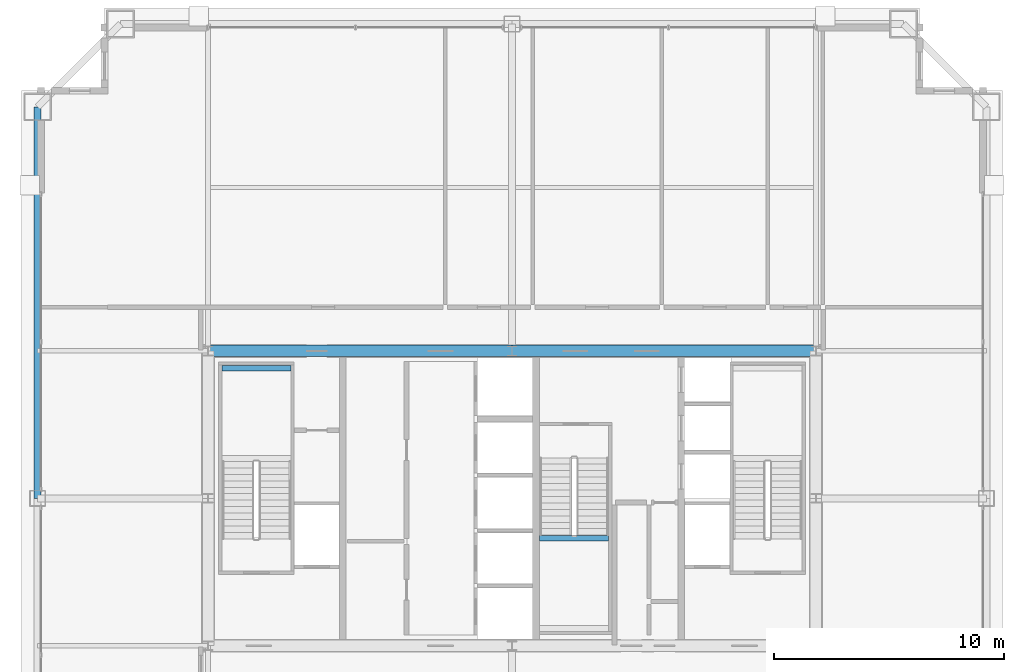
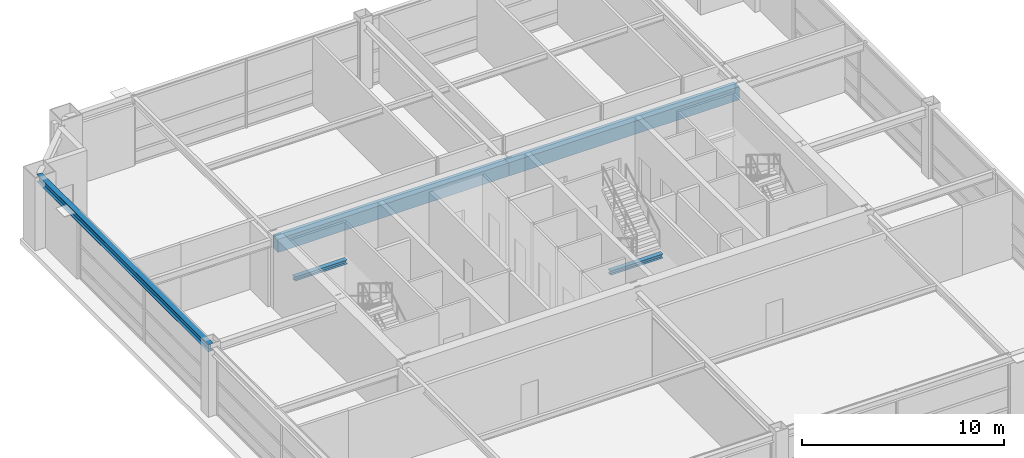
# One storey, part 11 of 26: 5 beams.
"""IFC4 building model written with IfcOpenShell, lengths in metres."""

import ifcopenshell
import ifcopenshell.guid

model = None  # the IFC model being written
_history = None  # IfcOwnerHistory: only IFC2X3 demands one
_inside = {}  # id of a spatial element -> (the spatial element, [elements in it])
_under = {}  # id of a project, library or spatial element -> (it, [spatial elements below it])
_declared = {}  # id of a project -> (the project, [libraries it declares])
_typed = {}  # id of a type object -> (the type object, [elements of that type])
_made_of = {}  # id of a material, layer set ... -> (it, [elements and type objects made of it])


def new_model(schema):
    """Start an empty IFC model of exactly this schema.

    Asked for "IFC4X3", IfcOpenShell would pick the latest addendum, in which some entities
    have other attributes; the version numbers below select the first issue.
    IFC2X3 requires an IfcOwnerHistory on every rooted entity: one is made here for all.
    """
    global model, _history
    if schema == "IFC4X3":
        model = ifcopenshell.file(schema_version=(4, 3, 0, 0))
    else:
        model = ifcopenshell.file(schema=schema)
    _inside.clear()
    _under.clear()
    _declared.clear()
    _typed.clear()
    _made_of.clear()
    _history = None
    if model.schema == "IFC2X3":
        org = make("IfcOrganization", Name="unknown")
        user = make(
            "IfcPersonAndOrganization",
            ThePerson=make("IfcPerson", FamilyName="unknown"),
            TheOrganization=org,
        )
        app = make(
            "IfcApplication",
            ApplicationDeveloper=org,
            Version="unknown",
            ApplicationFullName="unknown",
            ApplicationIdentifier="unknown",
        )
        _history = make(
            "IfcOwnerHistory",
            OwningUser=user,
            OwningApplication=app,
            ChangeAction="ADDED",
            CreationDate=0,
        )
    return model


def make(cls, **values):
    """One entity of the class cls with the attributes given. An attribute that is None is left unset."""
    return model.create_entity(
        cls, **{name: value for name, value in values.items() if value is not None}
    )


def rooted(cls, **values):
    """An entity with a GlobalId (a new one), such as an element, a storey or a relation."""
    return make(cls, GlobalId=ifcopenshell.guid.new(), OwnerHistory=_history, **values)


def si_unit(unit_type, name, prefix=None):
    """IfcSIUnit, for example si_unit("LENGTHUNIT", "METRE", prefix="MILLI")."""
    return make("IfcSIUnit", UnitType=unit_type, Prefix=prefix, Name=name)


def assignment(units):
    """IfcUnitAssignment: the units of a project."""
    return None if units is None else make("IfcUnitAssignment", Units=units)


def point(xyz):
    """IfcCartesianPoint."""
    return None if xyz is None else make("IfcCartesianPoint", Coordinates=xyz)


def direction(xyz):
    """IfcDirection."""
    return None if xyz is None else make("IfcDirection", DirectionRatios=xyz)


def frame(location, z_axis=None, x_axis=None):
    """IfcAxis2Placement3D, a coordinate frame: its origin and axes. An axis left out is left unset."""
    return make(
        "IfcAxis2Placement3D",
        Location=point(location),
        Axis=direction(z_axis),
        RefDirection=direction(x_axis),
    )


def frame_2d(location, x_axis=None):
    """IfcAxis2Placement2D, a coordinate frame in the plane: its origin and x axis."""
    return make(
        "IfcAxis2Placement2D", Location=point(location), RefDirection=direction(x_axis)
    )


def origin():
    """The frame at (0, 0, 0) with its axes left unset."""
    return frame((0.0, 0.0, 0.0))


def origin_2d():
    """The frame at (0, 0) in the plane with its x axis left unset."""
    return frame_2d((0.0, 0.0))


def place(relative_to, where):
    """IfcLocalPlacement: puts the frame where relative to a parent placement (None: the world)."""
    return make(
        "IfcLocalPlacement", PlacementRelTo=relative_to, RelativePlacement=where
    )


def context(
    kind, dimensions, precision=None, world=None, true_north=None, identifier=None
):
    """IfcGeometricRepresentationContext, for example the 3D "Model" context."""
    return make(
        "IfcGeometricRepresentationContext",
        ContextIdentifier=identifier,
        ContextType=kind,
        CoordinateSpaceDimension=dimensions,
        Precision=precision,
        WorldCoordinateSystem=world,
        TrueNorth=true_north,
    )


def subcontext(parent, identifier, kind, view, scale=None):
    """IfcGeometricRepresentationSubContext, for example "Body" below "Model"."""
    return make(
        "IfcGeometricRepresentationSubContext",
        ContextIdentifier=identifier,
        ContextType=kind,
        ParentContext=parent,
        TargetScale=scale,
        TargetView=view,
    )


def project(units=None, contexts=None):
    """IfcProject with its units and contexts."""
    return rooted(
        "IfcProject",
        Name="project",
        RepresentationContexts=contexts,
        UnitsInContext=assignment(units),
    )


def spatial(cls, under=None, at=None, **own):
    """A site, building, storey or space (cls), placed at a placement, below another one or the project."""
    s = rooted(cls, ObjectPlacement=at, **own)
    if under is not None:
        _under.setdefault(under.id(), (under, []))[1].append(s)
    return s


def profile(cls, at=None, kind="AREA", **sizes):
    """A parametric profile (cls). Its sizes go by their IFC names, for example OverallWidth=200.0."""
    return make(cls, ProfileType=kind, Position=at, **sizes)


def rectangle(**sizes):
    """IfcRectangleProfileDef."""
    return profile("IfcRectangleProfileDef", **sizes)


def i_section(**sizes):
    """IfcIShapeProfileDef."""
    return profile("IfcIShapeProfileDef", **sizes)


def extrude(swept, where, along, depth):
    """IfcExtrudedAreaSolid: the profile swept, set in the frame where, extruded along a direction by depth."""
    return make(
        "IfcExtrudedAreaSolid",
        SweptArea=swept,
        Position=where,
        ExtrudedDirection=direction(along),
        Depth=depth,
    )


def shape(context_of_items, identifier, shape_type, items):
    """IfcShapeRepresentation: the items that make up one representation, for example the "Body"."""
    return make(
        "IfcShapeRepresentation",
        ContextOfItems=context_of_items,
        RepresentationIdentifier=identifier,
        RepresentationType=shape_type,
        Items=items,
    )


def source(mapping_origin, context_of_items, identifier, shape_type, items):
    """IfcRepresentationMap: a shape defined once, which mapped items show again and again."""
    return make(
        "IfcRepresentationMap",
        MappingOrigin=mapping_origin,
        MappedRepresentation=shape(context_of_items, identifier, shape_type, items),
    )


def transform(
    local_origin,
    x_axis=None,
    y_axis=None,
    z_axis=None,
    scale=None,
    scale2=None,
    scale3=None,
    uniform=True,
):
    """IfcCartesianTransformationOperator3D, or its non-uniform kind. x_axis, y_axis, z_axis: its Axis1, 2, 3."""
    if uniform:
        return make(
            "IfcCartesianTransformationOperator3D",
            Axis1=direction(x_axis),
            Axis2=direction(y_axis),
            LocalOrigin=point(local_origin),
            Scale=scale,
            Axis3=direction(z_axis),
        )
    return make(
        "IfcCartesianTransformationOperator3DnonUniform",
        Axis1=direction(x_axis),
        Axis2=direction(y_axis),
        LocalOrigin=point(local_origin),
        Scale=scale,
        Axis3=direction(z_axis),
        Scale2=scale2,
        Scale3=scale3,
    )


def mapped(mapping_source, mapping_target):
    """IfcMappedItem: shows the shape of a source again, moved by a transform."""
    return make(
        "IfcMappedItem", MappingSource=mapping_source, MappingTarget=mapping_target
    )


def material(Name=None, Category=None):
    """IfcMaterial."""
    return make("IfcMaterial", Name=Name, Category=Category)


def material_profile(
    of_material, cross_section, Name=None, Category=None, Priority=None
):
    """IfcMaterialProfile: a cross section and its material."""
    return make(
        "IfcMaterialProfile",
        Name=Name,
        Material=of_material,
        Profile=cross_section,
        Priority=Priority,
        Category=Category,
    )


def profile_set(profiles, Name=None, composite=None):
    """IfcMaterialProfileSet."""
    return make(
        "IfcMaterialProfileSet",
        Name=Name,
        MaterialProfiles=profiles,
        CompositeProfile=composite,
    )


def made_of(thing, what):
    """Note that an element or type object is made of a material, layer set ...; save() writes the relation."""
    if what is not None:
        _made_of.setdefault(what.id(), (what, []))[1].append(thing)
    return thing


def type_object(cls, material=None, **own):
    """A type object (cls), such as IfcWallType, which elements share."""
    return made_of(rooted(cls, **own), material)


def element(
    cls,
    number,
    at=None,
    inside=None,
    cuts=None,
    type_object=None,
    material=None,
    context=None,
    identifier="Body",
    shape_type=None,
    held_by="IfcProductDefinitionShape",
    body=None,
    shapes=None,
    **own,
):
    """One element of the class cls, such as IfcWall. Its Tag is "e" and its number.

    at: its placement. inside: the storey or other place that contains it. cuts: it is an
    opening in that element (IfcRelVoidsElement). A single representation is given by context,
    identifier, shape_type and body (its items); several are given by shapes. held_by: the class
    of the entity that holds the representations. save() writes the other relations.
    """
    e = rooted(cls, Tag="e%d" % number, ObjectPlacement=at, **own)
    if body is not None:
        shapes = [shape(context, identifier, shape_type, body)]
    if shapes is not None:
        e.Representation = make(held_by, Representations=shapes)
    if inside is not None:
        _inside.setdefault(inside.id(), (inside, []))[1].append(e)
    if cuts is not None:
        rooted(
            "IfcRelVoidsElement", RelatingBuildingElement=cuts, RelatedOpeningElement=e
        )
    if type_object is not None:
        _typed.setdefault(type_object.id(), (type_object, []))[1].append(e)
    return made_of(e, material)


def aggregate(whole, parts):
    """IfcRelAggregates: a whole, such as a stair, and the parts it consists of."""
    return rooted("IfcRelAggregates", RelatingObject=whole, RelatedObjects=parts)


def save(model, path):
    """Write the relations noted so far, then the file.

    IfcRelAggregates (storeys below a building ...), IfcRelContainedInSpatialStructure (elements
    in a storey), IfcRelDefinesByType, IfcRelAssociatesMaterial and IfcRelDeclares: one each for
    every whole, place, type object, material and project.
    """
    for whole, parts in _under.values():
        aggregate(whole, parts)
    for where, things in _inside.values():
        rooted(
            "IfcRelContainedInSpatialStructure",
            RelatedElements=things,
            RelatingStructure=where,
        )
    for kind, things in _typed.values():
        rooted("IfcRelDefinesByType", RelatedObjects=things, RelatingType=kind)
    for what, things in _made_of.values():
        rooted("IfcRelAssociatesMaterial", RelatedObjects=things, RelatingMaterial=what)
    for by, libraries in _declared.values():
        rooted("IfcRelDeclares", RelatingContext=by, RelatedDefinitions=libraries)
    model.write(path)


model = new_model("IFC4")

# Units and contexts
model_context = context("Model", 3, precision=1e-05, world=origin(), true_north=direction((0.0, 1.0)))
body_context = subcontext(model_context, "Body", "Model", "MODEL_VIEW")
ifc_project = project(units=[si_unit("LENGTHUNIT", "METRE"), si_unit("AREAUNIT", "SQUARE_METRE"), si_unit("VOLUMEUNIT", "CUBIC_METRE"), si_unit("PLANEANGLEUNIT", "RADIAN"), si_unit("MASSUNIT", "GRAM", prefix="KILO"), si_unit("THERMODYNAMICTEMPERATUREUNIT", "KELVIN"), si_unit("POWERUNIT", "WATT")], contexts=[model_context])

# Site, building, storey
site_placement = place(None, origin())
site = spatial("IfcSite", under=ifc_project, at=site_placement, CompositionType="ELEMENT")
building_placement = place(site_placement, origin())
building = spatial("IfcBuilding", under=site, at=building_placement, Name="Yuzanri Waterfront Tower", CompositionType="ELEMENT")
storey_placement = place(building_placement, frame((0.0, 0.0, 259.10009765625)))
storey = spatial("IfcBuildingStorey", under=building, at=storey_placement, Name="L69", CompositionType="ELEMENT", Elevation=259.10009765625)

# Beams
ifc_material_1 = material(Name="Concrete C50", Category="concrete")
ifc_material_profile_1 = material_profile(ifc_material_1, rectangle(XDim=0.5, YDim=0.800048828125, at=origin_2d()), Name="RC 500x800")
ifc_profile_set_1 = profile_set([ifc_material_profile_1], Name="Concrete C50")
beam_type_1 = type_object("IfcBeamType", Name="Core Coupling Lintel Concrete C50 500x800", PredefinedType="LINTEL", material=ifc_profile_set_1)
shared_shape_1 = source(origin(), body_context, "Body", "SweptSolid", [
    extrude(rectangle(XDim=0.5, YDim=0.800048828125, at=origin_2d()), origin(), (0.0, 0.0, 1.0), 13.199951171875),
])
for number, where, z_axis, x_axis, name in (
    (1, (23.800048828125, 32.199951171875, 3.719970703125), (1.0, 0.0, 0.0), (0.0, 1.0, 0.0), "L69 Core Tie Beam CN1"),
    (2, (37.0, 32.199951171875, 3.719970703125), (1.0, 0.0, 0.0), (0.0, 1.0, 0.0), "L69 Core Tie Beam CN2"),
):
    element("IfcBeam", number, at=place(storey_placement, frame(where, z_axis=z_axis, x_axis=x_axis)), inside=storey, type_object=beam_type_1, Name=name, PredefinedType="LINTEL", context=body_context, shape_type="MappedRepresentation", body=[
        mapped(shared_shape_1, transform((0.0, 0.0, 0.0), scale=1.0)),
    ])
ifc_material_2 = material(Name="Steel Q355B", Category="steel")
ifc_material_profile_2 = material_profile(ifc_material_2, i_section(OverallWidth=0.300048828125, OverallDepth=0.43994140625, WebThickness=0.010986328125, FlangeThickness=0.01806640625, at=origin_2d()), Name="HM 440x300x11x18")
ifc_profile_set_2 = profile_set([ifc_material_profile_2], Name="Steel Q355B")
beam_type_2 = type_object("IfcBeamType", Name="Perimeter Spandrel Q355B HM 440x300", PredefinedType="SPANDREL", material=ifc_profile_set_2)
shared_shape_2 = source(origin(), body_context, "Body", "SweptSolid", [
    extrude(i_section(OverallWidth=0.300048828125, OverallDepth=0.43994140625, WebThickness=0.010986328125, FlangeThickness=0.01806640625, at=origin_2d()), origin(), (0.0, 0.0, 1.0), 17.0),
])
beam_placement = place(storey_placement, frame((16.39990234375, 42.800048828125, 3.89990234375), z_axis=(0.0, -1.0, 0.0), x_axis=(1.0, 0.0, 0.0)))
element("IfcBeam", 3, at=beam_placement, inside=storey, type_object=beam_type_2, Name="L69 Perimeter Spandrel W3-W2", PredefinedType="SPANDREL", context=body_context, shape_type="MappedRepresentation", body=[
    mapped(shared_shape_2, transform((0.0, 0.0, 0.0), scale=1.0)),
])
ifc_material_3 = material(Name="Steel Q355B", Category="steel")
ifc_material_profile_3 = material_profile(ifc_material_3, i_section(OverallWidth=0.25, OverallDepth=0.25, WebThickness=0.009033203125, FlangeThickness=0.013916015625, at=origin_2d()), Name="HW 250x250x9x14")
ifc_profile_set_3 = profile_set([ifc_material_profile_3], Name="Steel Q355B")
beam_type_3 = type_object("IfcBeamType", Name="Stair Landing Support Beam Q355B HW 250x250", PredefinedType="BEAM", material=ifc_profile_set_3)
shared_shape_3 = source(origin(), body_context, "Body", "SweptSolid", [
    extrude(i_section(OverallWidth=0.25, OverallDepth=0.25, WebThickness=0.009033203125, FlangeThickness=0.013916015625, at=origin_2d()), origin(), (0.0, 0.0, 1.0), 3.0),
])
for number, where, z_axis, x_axis, name in (
    (4, (24.39990234375, 31.449951171875, 1.875), (1.0, 0.0, 0.0), (0.0, 1.0, 0.0), "L69 Stair Landing Support Beam ST-01-L69-L1-2"),
    (5, (38.199951171875, 24.070068359375, 1.875), (1.0, 0.0, 0.0), (0.0, 1.0, 0.0), "L69 Stair Landing Support Beam ST-03-L69-L1-2"),
):
    element("IfcBeam", number, at=place(storey_placement, frame(where, z_axis=z_axis, x_axis=x_axis)), inside=storey, type_object=beam_type_3, Name=name, PredefinedType="BEAM", context=body_context, shape_type="MappedRepresentation", body=[
        mapped(shared_shape_3, transform((0.0, 0.0, 0.0), scale=1.0)),
    ])

save(model, "model.ifc")
